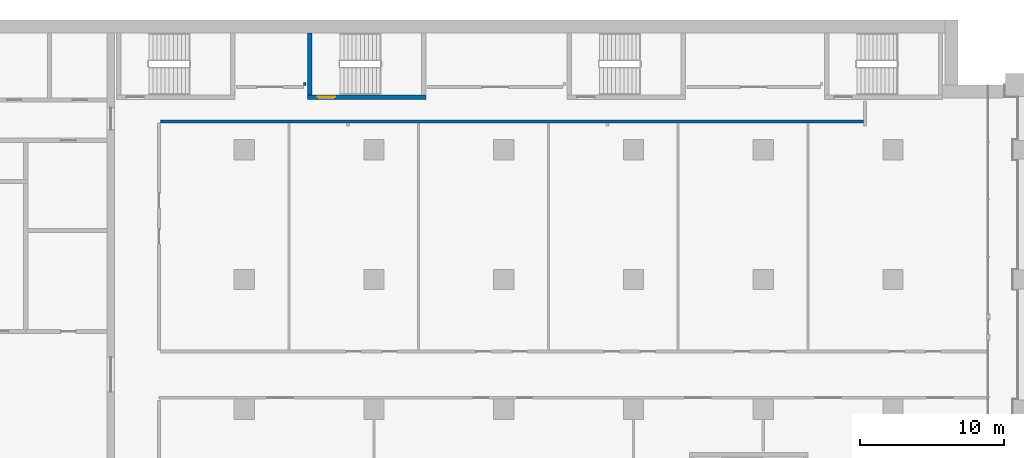
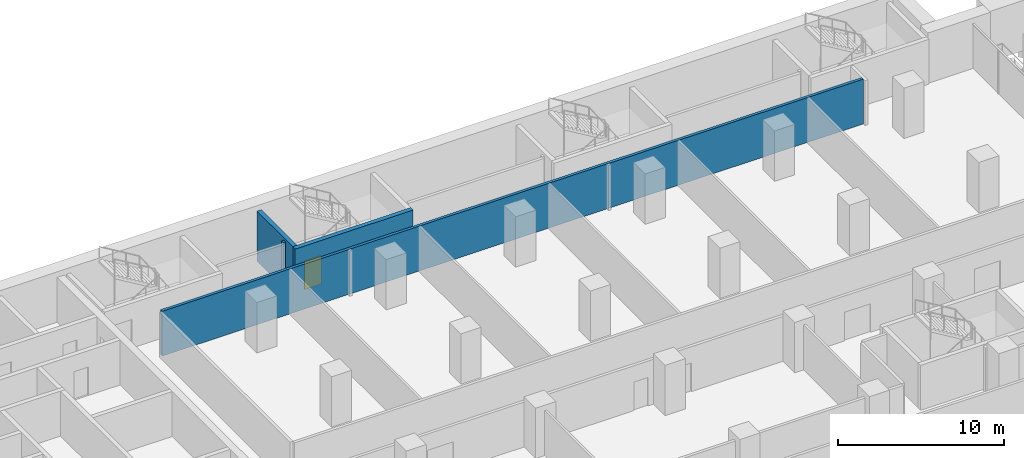
# One storey, part 16 of 29: 4 walls, 1 door, 1 opening.
"""IFC4 building model written with IfcOpenShell, lengths in metres."""

from ifc_helpers import new_model, si_unit, direction, frame, frame_2d, origin, place, context, subcontext, project, spatial, rectangle, extrude, material, layer, layer_set, type_object, element, fill, save


model = new_model("IFC4")

# Units and contexts
model_context = context("Model", 3, precision=1e-05, world=origin(), true_north=direction((0.0, 1.0)))
body_context = subcontext(model_context, "Body", "Model", "MODEL_VIEW")
ifc_project = project(units=[si_unit("LENGTHUNIT", "METRE"), si_unit("AREAUNIT", "SQUARE_METRE"), si_unit("VOLUMEUNIT", "CUBIC_METRE"), si_unit("PLANEANGLEUNIT", "RADIAN"), si_unit("MASSUNIT", "GRAM", prefix="KILO")], contexts=[model_context])

# Site, building, storey
site_placement = place(None, origin())
site = spatial("IfcSite", under=ifc_project, at=site_placement, CompositionType="ELEMENT")
building_placement = place(site_placement, origin())
building = spatial("IfcBuilding", under=site, at=building_placement, Name="Hunhe Ridgeline Campus", CompositionType="ELEMENT")
storey_placement = place(building_placement, frame((0.0, 0.0, 50.60009765625)))
storey = spatial("IfcBuildingStorey", under=building, at=storey_placement, Name="L11", CompositionType="ELEMENT", Elevation=50.60009765625)

# Walls
ifc_material_1 = material(Name="Gypsum board partition")
ifc_layer_1 = layer(ifc_material_1, 0.199951171875)
ifc_layer_set_1 = layer_set([ifc_layer_1], Name="Corridor partition 200 gypsum board on steel studs")
wall_type_1 = type_object("IfcWallType", Name="Corridor partition 200 gypsum board on steel studs", PredefinedType="PARTITIONING", material=ifc_layer_set_1)
wall_1_placement = place(storey_placement, frame((87.949951171875, 91.949951171875, 0.0), z_axis=(0.0, 0.0, 1.0), x_axis=(-1.0, 0.0, 0.0)))
element("IfcWall", 1, at=wall_1_placement, inside=storey, type_object=wall_type_1, Name="F-L11-wall-051", PredefinedType="PARTITIONING", context=body_context, shape_type="SweptSolid", body=[
    extrude(rectangle(XDim=48.75, YDim=0.199951171875, at=frame_2d((24.375, 0.0))), origin(), (0.0, 0.0, 1.0), 3.2998046875),
])
ifc_layer_2 = layer(ifc_material_1, 0.14990234375)
ifc_layer_set_2 = layer_set([ifc_layer_2], Name="Room partition 150 gypsum board on steel studs")
wall_type_2 = type_object("IfcWallType", Name="Room partition 150 gypsum board on steel studs", PredefinedType="PARTITIONING", material=ifc_layer_set_2)
wall_2_placement = place(storey_placement, frame((49.199951171875, 94.64990234375, 0.0), z_axis=(0.0, 0.0, 1.0), x_axis=(0.0, -1.0, 0.0)))
element("IfcWall", 2, at=wall_2_placement, inside=storey, type_object=wall_type_2, Name="F-L11-wall-073", PredefinedType="PARTITIONING", context=body_context, shape_type="SweptSolid", body=[
    extrude(rectangle(XDim=0.199951171875, YDim=0.14990234375, at=frame_2d((0.10009765625, 0.0))), origin(), (0.0, 0.0, 1.0), 3.2998046875),
])

# Wall, opening, door
ifc_material_2 = material(Name="Concrete C80", Category="concrete")
ifc_layer_3 = layer(ifc_material_2, 0.300048828125)
ifc_layer_set_3 = layer_set([ifc_layer_3], Name="Stair wall 300 reinforced concrete C80")
wall_type_3 = type_object("IfcWallType", Name="Stair wall 300 reinforced concrete C80", PredefinedType="SOLIDWALL", material=ifc_layer_set_3)
wall_3_placement = place(storey_placement, frame((49.39990234375, 93.64990234375, -0.400146484375), z_axis=(0.0, 0.0, 1.0), x_axis=(1.0, 0.0, 0.0)))
wall_3 = element("IfcWall", 3, at=wall_3_placement, inside=storey, type_object=wall_type_3, Name="L11 core wall 31", PredefinedType="SOLIDWALL", context=body_context, shape_type="SweptSolid", body=[
    extrude(rectangle(XDim=8.2001953125, YDim=0.300048828125, at=frame_2d((4.10009765625, 0.0))), origin(), (0.0, 0.0, 1.0), 3.699951171875),
])
opening_placement = place(wall_3_placement, frame((0.699951171875, 0.0, 0.39990234375)))
opening = element("IfcOpeningElement", 4, at=opening_placement, cuts=wall_3, Name="Opening CD18", PredefinedType="OPENING", context=body_context, shape_type="SweptSolid", body=[
    extrude(rectangle(XDim=1.199951171875, YDim=2.10009765625, at=frame_2d((0.60009765625, 1.050048828125))), frame((0.0, 0.14990234375, 0.0), z_axis=(0.0, -1.0, 0.0), x_axis=(1.0, 0.0, 0.0)), (0.0, 0.0, 1.0), 0.300048828125),
])
ifc_material_3 = material(Name="Hollow metal fire door leaf")
door_type = type_object("IfcDoorType", Name="Stair door 1200x2100 FD60", OperationType="SINGLE_SWING_LEFT", PredefinedType="DOOR", material=ifc_material_3)
door_placement = place(opening_placement, frame((1.199951171875, 0.0, 0.0), z_axis=(0.0, 0.0, 1.0), x_axis=(-1.0, 0.0, 0.0)))
door = element("IfcDoor", 5, at=door_placement, inside=storey, type_object=door_type, Name="L11 door E2", OperationType="SINGLE_SWING_LEFT", OverallHeight=2.10009765625, OverallWidth=1.199951171875, PredefinedType="DOOR", context=body_context, shape_type="SweptSolid", body=[
    extrude(rectangle(XDim=1.199951171875, YDim=2.10009765625, at=frame_2d((0.60009765625, 1.050048828125))), frame((0.0, 0.02490234375, 0.0), z_axis=(0.0, -1.0, 0.0), x_axis=(1.0, 0.0, 0.0)), (0.0, 0.0, 1.0), 0.050048828125),
])
fill(opening, door)

# Wall
wall_4_placement = place(storey_placement, frame((49.550048828125, 93.800048828125, -0.400146484375), z_axis=(0.0, 0.0, 1.0), x_axis=(0.0, 1.0, 0.0)))
element("IfcWall", 6, at=wall_4_placement, inside=storey, type_object=wall_type_3, Name="L11 core wall 67", PredefinedType="SOLIDWALL", context=body_context, shape_type="SweptSolid", body=[
    extrude(rectangle(XDim=4.300048828125, YDim=0.300048828125, at=frame_2d((2.14990234375, 0.0))), origin(), (0.0, 0.0, 1.0), 3.699951171875),
])

save(model, "model.ifc")
